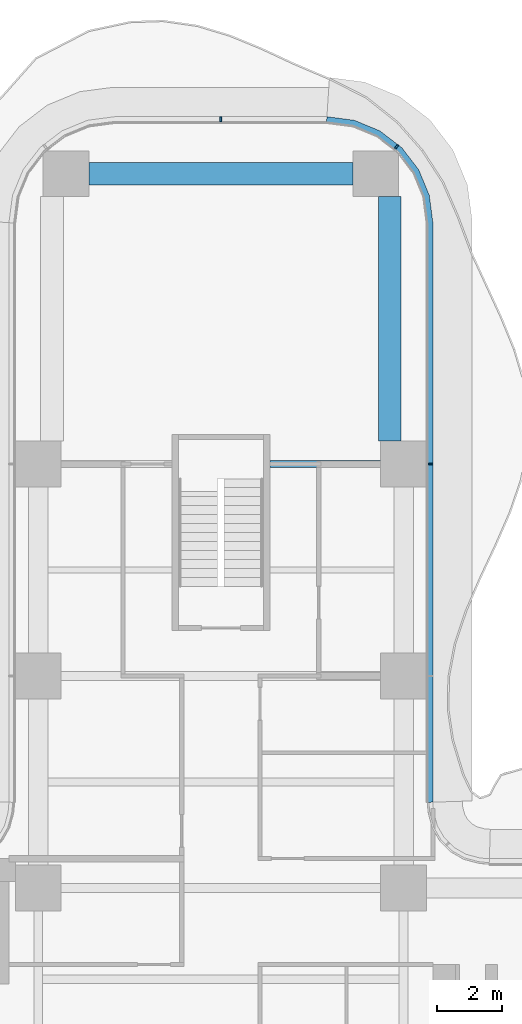
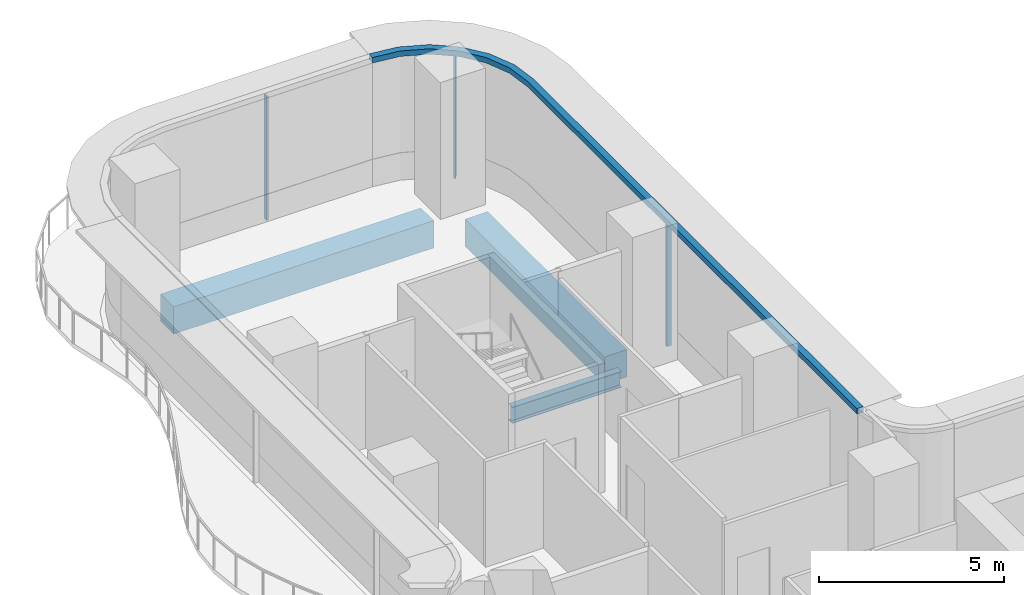
# One storey, part 12 of 22: 4 members, 3 beams, 2 elements without a shape of their own.
"""IFC4 building model written with IfcOpenShell, lengths in metres."""

from ifc_helpers import new_model, si_unit, direction, frame, origin, origin_2d, place, context, subcontext, project, spatial, polyline, rectangle, i_section, outline, extrude, source, transform, mapped, material, layer, layer_set, material_profile, profile_set, type_object, element, aggregate, save


model = new_model("IFC4")

# Units and contexts
model_context = context("Model", 3, precision=1e-05, world=origin(), true_north=direction((0.0, 1.0)))
body_context = subcontext(model_context, "Body", "Model", "MODEL_VIEW")
ifc_project = project(units=[si_unit("LENGTHUNIT", "METRE"), si_unit("AREAUNIT", "SQUARE_METRE"), si_unit("VOLUMEUNIT", "CUBIC_METRE"), si_unit("PLANEANGLEUNIT", "RADIAN"), si_unit("MASSUNIT", "GRAM", prefix="KILO")], contexts=[model_context])

# Site, building, storey
site_placement = place(None, origin())
site = spatial("IfcSite", under=ifc_project, at=site_placement, CompositionType="ELEMENT")
building_placement = place(site_placement, origin())
building = spatial("IfcBuilding", under=site, at=building_placement, Name="Trellis Farm Tower", CompositionType="ELEMENT")
storey_placement = place(building_placement, frame((0.0, 0.0, 56.5)))
storey = spatial("IfcBuildingStorey", under=building, at=storey_placement, Name="L11", CompositionType="ELEMENT", Elevation=56.5)

# Beams
ifc_material_1 = material(Name="Steel S355", Category="steel")
ifc_material_profile_1 = material_profile(ifc_material_1, i_section(OverallWidth=0.209228515625, OverallDepth=0.533203125, WebThickness=0.010009765625, FlangeThickness=0.015625, FilletRadius=0.0126953125, at=origin_2d()), Name="UB 533x210x92")
ifc_profile_set_1 = profile_set([ifc_material_profile_1], Name="Steel S355")
beam_type_1 = type_object("IfcBeamType", Name="UB 533x210x92", PredefinedType="BEAM", material=ifc_profile_set_1)
shared_shape_1 = source(origin(), body_context, "Body", "SweptSolid", [
    extrude(i_section(OverallWidth=0.209228515625, OverallDepth=0.533203125, WebThickness=0.010009765625, FlangeThickness=0.015625, FilletRadius=0.0126953125, at=origin_2d()), origin(), (0.0, 0.0, 1.0), 3.39990234375),
])
beam_1_placement = place(storey_placement, frame((1.5, 18.60009765625, -0.5166015625), z_axis=(1.0, 0.0, 0.0), x_axis=(0.0, 1.0, 0.0)))
element("IfcBeam", 1, at=beam_1_placement, inside=storey, type_object=beam_type_1, Name="Girder", PredefinedType="BEAM", context=body_context, shape_type="MappedRepresentation", body=[
    mapped(shared_shape_1, transform((0.0, 0.0, 0.0))),
])
ifc_material_2 = material(Name="Concrete C60/75", Category="concrete")
ifc_material_profile_2 = material_profile(ifc_material_2, rectangle(XDim=0.699951171875, YDim=0.89990234375, at=origin_2d()), Name="RC spandrel beam 700x900 C60/75")
ifc_profile_set_2 = profile_set([ifc_material_profile_2], Name="Concrete C60/75")
beam_type_2 = type_object("IfcBeamType", Name="RC spandrel beam 700x900 C60/75", PredefinedType="SPANDREL", material=ifc_profile_set_2)
shared_shape_2 = source(origin(), body_context, "Body", "SweptSolid", [
    extrude(rectangle(XDim=0.699951171875, YDim=0.89990234375, at=origin_2d()), origin(), (0.0, 0.0, 1.0), 8.10009765625),
])
beam_2_placement = place(storey_placement, frame((-4.050048828125, 27.5, -0.699951171875), z_axis=(1.0, 0.0, 0.0), x_axis=(0.0, 1.0, 0.0)))
element("IfcBeam", 2, at=beam_2_placement, inside=storey, type_object=beam_type_2, Name="Girder", PredefinedType="SPANDREL", context=body_context, shape_type="MappedRepresentation", body=[
    mapped(shared_shape_2, transform((0.0, 0.0, 0.0))),
])
shared_shape_3 = source(origin(), body_context, "Body", "SweptSolid", [
    extrude(rectangle(XDim=0.699951171875, YDim=0.89990234375, at=origin_2d()), origin(), (0.0, 0.0, 1.0), 7.5),
])
beam_3_placement = place(storey_placement, frame((5.175048828125, 19.300048828125, -0.699951171875), z_axis=(0.0, 1.0, 0.0), x_axis=(-1.0, 0.0, 0.0)))
element("IfcBeam", 3, at=beam_3_placement, inside=storey, type_object=beam_type_2, Name="Girder", PredefinedType="SPANDREL", context=body_context, shape_type="MappedRepresentation", body=[
    mapped(shared_shape_3, transform((0.0, 0.0, 0.0))),
])

# Curtain wall, members
ifc_material_3 = material(Name="Aluminium and glass curtain wall", Category="aluminium")
ifc_layer_1 = layer(ifc_material_3, 0.18994140625)
ifc_layer_set_1 = layer_set([ifc_layer_1], Name="RIBBON CURTAIN WALL CW1")
curtain_wall_type = type_object("IfcCurtainWallType", Name="RIBBON CURTAIN WALL CW1", PredefinedType="NOTDEFINED", material=ifc_layer_set_1)
placement = place(storey_placement, origin())
curtain_wall_1 = element("IfcCurtainWall", 4, at=placement, inside=storey, type_object=curtain_wall_type, Name="CW1 009", PredefinedType="NOTDEFINED")
ifc_material_4 = material(Name="Aluminium extrusion 6063-T6", Category="aluminium")
ifc_material_profile_3 = material_profile(ifc_material_4, rectangle(XDim=0.06005859375, YDim=0.14990234375, at=origin_2d()), Name="MULLION 60x150")
ifc_profile_set_3 = profile_set([ifc_material_profile_3], Name="Aluminium extrusion 6063-T6")
member_type_1 = type_object("IfcMemberType", Name="CW1 MULLION 60x150", PredefinedType="MULLION", material=ifc_profile_set_3)
shared_shape_4 = source(origin(), body_context, "Body", "SweptSolid", [
    extrude(rectangle(XDim=0.06005859375, YDim=0.14990234375, at=origin_2d()), origin(), (0.0, 0.0, 1.0), 4.070068359375),
])
member_1_placement = place(storey_placement, frame((6.425048828125, 18.60009765625, 0.0), z_axis=(0.0, 0.0, 1.0), x_axis=(0.0, 1.0, 0.0)))
member_1 = element("IfcMember", 5, at=member_1_placement, type_object=member_type_1, Name="MU1 009-02", PredefinedType="MULLION", context=body_context, shape_type="MappedRepresentation", body=[
    mapped(shared_shape_4, transform((0.0, 0.0, 0.0))),
])
member_2_placement = place(storey_placement, frame((5.385498046875, 28.328369140625, 0.0), z_axis=(0.0, 0.0, 1.0), x_axis=(-0.793353340291, 0.608761429009, 0.0)))
member_2 = element("IfcMember", 6, at=member_2_placement, type_object=member_type_1, Name="MU1 009-03", PredefinedType="MULLION", context=body_context, shape_type="MappedRepresentation", body=[
    mapped(shared_shape_4, transform((0.0, 0.0, 0.0))),
])

# Curtain wall, member
curtain_wall_2 = element("IfcCurtainWall", 7, at=placement, inside=storey, type_object=curtain_wall_type, Name="CW1 010", PredefinedType="NOTDEFINED")
member_3_placement = place(storey_placement, frame((0.0, 29.175048828125, 0.0), z_axis=(0.0, 0.0, 1.0), x_axis=(-1.0, 0.0, 0.0)))
member_3 = element("IfcMember", 8, at=member_3_placement, type_object=member_type_1, Name="MU1 010-01", PredefinedType="MULLION", context=body_context, shape_type="MappedRepresentation", body=[
    mapped(shared_shape_4, transform((0.0, 0.0, 0.0))),
])
aggregate(curtain_wall_2, [member_3])

# Member
ifc_layer_2 = layer(ifc_material_4, 0.199951171875)
ifc_layer_set_2 = layer_set([ifc_layer_2], Name="Aluminium extrusion 6063-T6")
member_type_2 = type_object("IfcMemberType", Name="CW1 TRANSOM 200x180", PredefinedType="USERDEFINED", material=ifc_layer_set_2)
shared_shape_5 = source(origin(), body_context, "Body", "SweptSolid", [
    extrude(outline(polyline([(6.5, 8.2314453125), (6.5, 26.0), (6.38916015625, 26.841064453125), (6.064697265625, 27.625), (5.548095703125, 28.298095703125), (4.875, 28.814697265625), (4.091064453125, 29.13916015625), (3.25, 29.25), (3.23681640625, 29.050048828125), (4.0390625, 28.9443359375), (4.774169921875, 28.639892578125), (5.405517578125, 28.155517578125), (5.889892578125, 27.524169921875), (6.1943359375, 26.7890625), (6.300048828125, 25.98681640625), (6.300048828125, 8.224853515625), (6.5, 8.2314453125)])), origin(), (0.0, 0.0, 1.0), 0.179931640625),
])
member_4_placement = place(storey_placement, frame((0.0, 0.0, 4.070068359375)))
member_4 = element("IfcMember", 9, at=member_4_placement, type_object=member_type_2, Name="TR1 009", ObjectType="TRANSOM", PredefinedType="USERDEFINED", context=body_context, shape_type="MappedRepresentation", body=[
    mapped(shared_shape_5, transform((0.0, 0.0, 0.0))),
])

aggregate(curtain_wall_1, [member_1, member_2, member_4])

save(model, "model.ifc")
